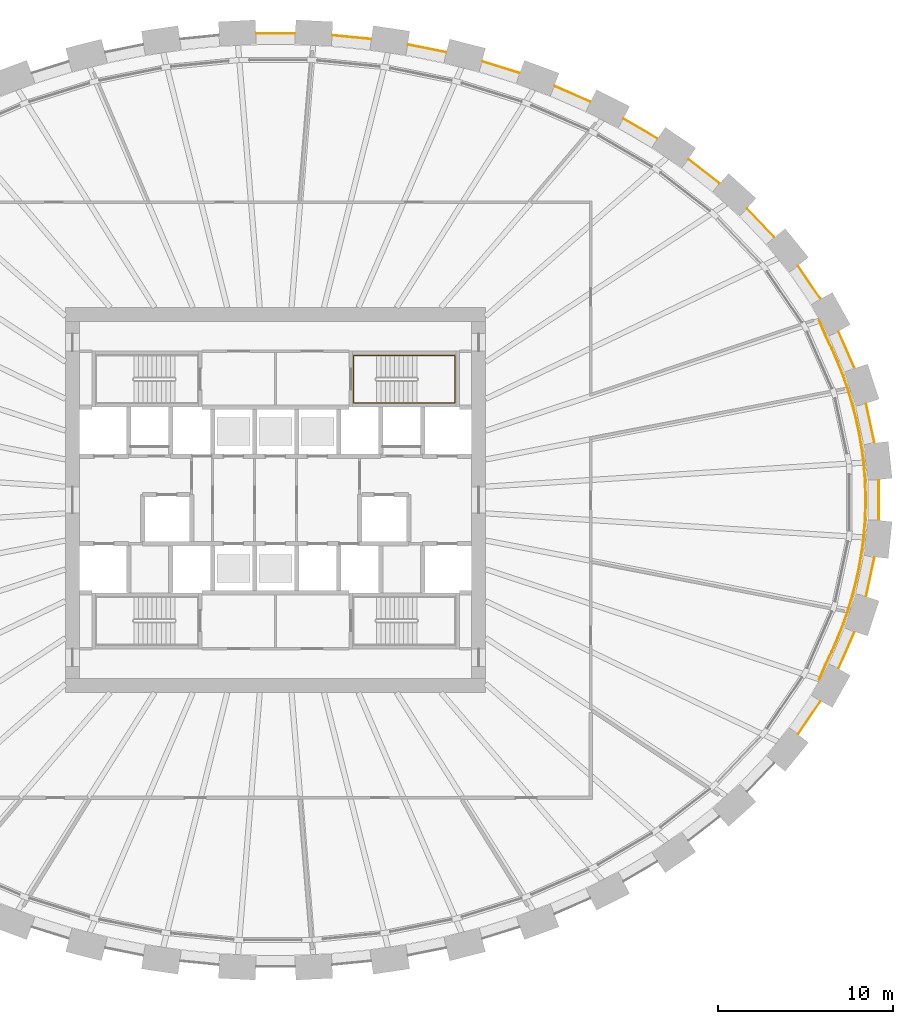
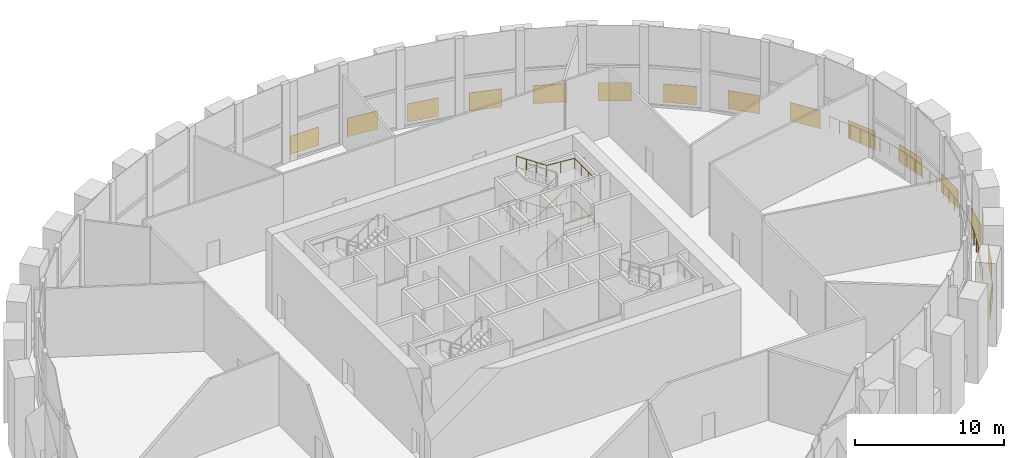
# One storey, part 15 of 16: 15 coverings, 2 railings.
"""IFC4 building model written with IfcOpenShell, lengths in metres."""

from ifc_helpers import new_model, si_unit, direction, frame, origin, origin_2d, place, context, subcontext, project, spatial, rectangle, circle, extrude, source, transform, mapped, material, layer, layer_set, type_object, element, save


model = new_model("IFC4")

# Units and contexts
model_context = context("Model", 3, precision=1e-05, world=origin(), true_north=direction((0.0, 1.0)))
body_context = subcontext(model_context, "Body", "Model", "MODEL_VIEW")
ifc_project = project(units=[si_unit("LENGTHUNIT", "METRE"), si_unit("AREAUNIT", "SQUARE_METRE"), si_unit("VOLUMEUNIT", "CUBIC_METRE"), si_unit("PLANEANGLEUNIT", "RADIAN"), si_unit("MASSUNIT", "GRAM", prefix="KILO")], contexts=[model_context])

# Site, building, storey
site_placement = place(None, origin())
site = spatial("IfcSite", under=ifc_project, at=site_placement, CompositionType="ELEMENT")
building_placement = place(site_placement, origin())
building = spatial("IfcBuilding", under=site, at=building_placement, Name="Embergate Tower", CompositionType="ELEMENT")
storey_placement = place(building_placement, frame((0.0, 0.0, 234.60009765625)))
storey = spatial("IfcBuildingStorey", under=building, at=storey_placement, Name="L54", CompositionType="ELEMENT", Elevation=234.60009765625)

# Coverings
ifc_material_1 = material(Name="Terracotta rainscreen on insulated backing", Category="masonry")
ifc_layer = layer(ifc_material_1, 0.0400390625)
ifc_layer_set = layer_set([ifc_layer], Name="Terracotta rainscreen on insulated backing")
covering_type = type_object("IfcCoveringType", Name="Terracotta rainscreen band", PredefinedType="CLADDING", material=ifc_layer_set)
shared_shape_1 = source(origin(), body_context, "Body", "SweptSolid", [
    extrude(rectangle(XDim=2.256591796875, YDim=0.0400390625, at=origin_2d()), origin(), (0.0, 0.0, 1.0), 1.5),
])
for number, where, z_axis, x_axis, name in (
    (1, (33.97021484375, 4.387451171875, -0.75), (0.0, 0.0, 1.0), (-0.210497353256, 0.977594427292, 0.0), "Rainscreen band 1"),
    (2, (33.97021484375, -4.387451171875, -0.75), (0.0, 0.0, 1.0), (0.210497353256, 0.977594427292, 0.0), "Rainscreen band 43"),
):
    element("IfcCovering", number, at=place(storey_placement, frame(where, z_axis=z_axis, x_axis=x_axis)), inside=storey, type_object=covering_type, Name=name, PredefinedType="CLADDING", context=body_context, shape_type="MappedRepresentation", body=[
        mapped(shared_shape_1, transform((0.0, 0.0, 0.0))),
    ])
shared_shape_2 = source(origin(), body_context, "Body", "SweptSolid", [
    extrude(rectangle(XDim=2.252685546875, YDim=0.0400390625, at=origin_2d()), origin(), (0.0, 0.0, 1.0), 1.5),
])
for number, where, z_axis, x_axis, name in (
    (3, (32.614501953125, 8.5810546875, -0.75), (0.0, 0.0, 1.0), (-0.401727222685, 0.915759378087, 0.0), "Rainscreen band 2"),
    (4, (32.614501953125, -8.5810546875, -0.75), (0.0, 0.0, 1.0), (0.401727222685, 0.915759378087, 0.0), "Rainscreen band 42"),
):
    element("IfcCovering", number, at=place(storey_placement, frame(where, z_axis=z_axis, x_axis=x_axis)), inside=storey, type_object=covering_type, Name=name, PredefinedType="CLADDING", context=body_context, shape_type="MappedRepresentation", body=[
        mapped(shared_shape_2, transform((0.0, 0.0, 0.0))),
    ])
shared_shape_3 = source(origin(), body_context, "Body", "SweptSolid", [
    extrude(rectangle(XDim=2.248046875, YDim=0.0400390625, at=origin_2d()), origin(), (0.0, 0.0, 1.0), 1.5),
])
for number, where, z_axis, x_axis, name in (
    (5, (30.485595703125, 12.431396484375, -0.75), (0.0, 0.0, 1.0), (-0.562273908619, 0.826951057612, 0.0), "Rainscreen band 3"),
    (6, (30.485595703125, -12.431396484375, -0.75), (0.0, 0.0, 1.0), (0.562273908619, 0.826951057612, 0.0), "Rainscreen band 41"),
):
    element("IfcCovering", number, at=place(storey_placement, frame(where, z_axis=z_axis, x_axis=x_axis)), inside=storey, type_object=covering_type, Name=name, PredefinedType="CLADDING", context=body_context, shape_type="MappedRepresentation", body=[
        mapped(shared_shape_3, transform((0.0, 0.0, 0.0))),
    ])
shared_shape_4 = source(origin(), body_context, "Body", "SweptSolid", [
    extrude(rectangle(XDim=2.24072265625, YDim=0.0400390625, at=origin_2d()), origin(), (0.0, 0.0, 1.0), 1.5),
])
covering_1_placement = place(storey_placement, frame((27.7119140625, 15.83349609375, -0.75), z_axis=(0.0, 0.0, 1.0), x_axis=(-0.690401506578, 0.723426402417, 0.0)))
element("IfcCovering", 7, at=covering_1_placement, inside=storey, type_object=covering_type, Name="Rainscreen band 4", PredefinedType="CLADDING", context=body_context, shape_type="MappedRepresentation", body=[
    mapped(shared_shape_4, transform((0.0, 0.0, 0.0))),
])
shared_shape_5 = source(origin(), body_context, "Body", "SweptSolid", [
    extrude(rectangle(XDim=2.23583984375, YDim=0.0400390625, at=origin_2d()), origin(), (0.0, 0.0, 1.0), 1.5),
])
covering_2_placement = place(storey_placement, frame((24.46630859375, 18.772705078125, -0.75), z_axis=(0.0, 0.0, 1.0), x_axis=(-0.788532692603, 0.614992839549, 0.0)))
element("IfcCovering", 8, at=covering_2_placement, inside=storey, type_object=covering_type, Name="Rainscreen band 5", PredefinedType="CLADDING", context=body_context, shape_type="MappedRepresentation", body=[
    mapped(shared_shape_5, transform((0.0, 0.0, 0.0))),
])
shared_shape_6 = source(origin(), body_context, "Body", "SweptSolid", [
    extrude(rectangle(XDim=2.23046875, YDim=0.0400390625, at=origin_2d()), origin(), (0.0, 0.0, 1.0), 1.5),
])
covering_3_placement = place(storey_placement, frame((20.840576171875, 21.212890625, -0.75), z_axis=(0.0, 0.0, 1.0), x_axis=(-0.862164602033, 0.506628265104, 0.0)))
element("IfcCovering", 9, at=covering_3_placement, inside=storey, type_object=covering_type, Name="Rainscreen band 6", PredefinedType="CLADDING", context=body_context, shape_type="MappedRepresentation", body=[
    mapped(shared_shape_6, transform((0.0, 0.0, 0.0))),
])
shared_shape_7 = source(origin(), body_context, "Body", "SweptSolid", [
    extrude(rectangle(XDim=2.227294921875, YDim=0.0400390625, at=origin_2d()), origin(), (0.0, 0.0, 1.0), 1.5),
])
covering_4_placement = place(storey_placement, frame((16.95458984375, 23.1962890625, -0.75), z_axis=(0.0, 0.0, 1.0), x_axis=(-0.916311714041, 0.400465782199, 0.0)))
element("IfcCovering", 10, at=covering_4_placement, inside=storey, type_object=covering_type, Name="Rainscreen band 7", PredefinedType="CLADDING", context=body_context, shape_type="MappedRepresentation", body=[
    mapped(shared_shape_7, transform((0.0, 0.0, 0.0))),
])
shared_shape_8 = source(origin(), body_context, "Body", "SweptSolid", [
    extrude(rectangle(XDim=2.2255859375, YDim=0.0400390625, at=origin_2d()), origin(), (0.0, 0.0, 1.0), 1.5),
])
covering_5_placement = place(storey_placement, frame((12.87158203125, 24.719482421875, -0.75), z_axis=(0.0, 0.0, 1.0), x_axis=(-0.954743670356, 0.297429863859, 0.0)))
element("IfcCovering", 11, at=covering_5_placement, inside=storey, type_object=covering_type, Name="Rainscreen band 8", PredefinedType="CLADDING", context=body_context, shape_type="MappedRepresentation", body=[
    mapped(shared_shape_8, transform((0.0, 0.0, 0.0))),
])
shared_shape_9 = source(origin(), body_context, "Body", "SweptSolid", [
    extrude(rectangle(XDim=2.223388671875, YDim=0.0400390625, at=origin_2d()), origin(), (0.0, 0.0, 1.0), 1.5),
])
covering_6_placement = place(storey_placement, frame((8.65185546875, 25.79736328125, -0.75), z_axis=(0.0, 0.0, 1.0), x_axis=(-0.980494092827, 0.196548553624, 0.0)))
element("IfcCovering", 12, at=covering_6_placement, inside=storey, type_object=covering_type, Name="Rainscreen band 9", PredefinedType="CLADDING", context=body_context, shape_type="MappedRepresentation", body=[
    mapped(shared_shape_9, transform((0.0, 0.0, 0.0))),
])
shared_shape_10 = source(origin(), body_context, "Body", "SweptSolid", [
    extrude(rectangle(XDim=2.2236328125, YDim=0.0400390625, at=origin_2d()), origin(), (0.0, 0.0, 1.0), 1.5),
])
covering_7_placement = place(storey_placement, frame((4.346923828125, 26.4384765625, -0.75), z_axis=(0.0, 0.0, 1.0), x_axis=(-0.995183015799, 0.098034509565, 0.0)))
element("IfcCovering", 13, at=covering_7_placement, inside=storey, type_object=covering_type, Name="Rainscreen band 10", PredefinedType="CLADDING", context=body_context, shape_type="MappedRepresentation", body=[
    mapped(shared_shape_10, transform((0.0, 0.0, 0.0))),
])
shared_shape_11 = source(origin(), body_context, "Body", "SweptSolid", [
    extrude(rectangle(XDim=2.221923828125, YDim=0.0400390625, at=origin_2d()), origin(), (0.0, 0.0, 1.0), 1.5),
])
covering_8_placement = place(storey_placement, frame((0.0, 26.652099609375, -0.75), z_axis=(0.0, 0.0, 1.0), x_axis=(-1.0, 0.0, 0.0)))
element("IfcCovering", 14, at=covering_8_placement, inside=storey, type_object=covering_type, Name="Rainscreen band 11", PredefinedType="CLADDING", context=body_context, shape_type="MappedRepresentation", body=[
    mapped(shared_shape_11, transform((0.0, 0.0, 0.0))),
])
shared_shape_12 = source(origin(), body_context, "Body", "SweptSolid", [
    extrude(rectangle(XDim=2.261962890625, YDim=0.0400390625, at=origin_2d()), origin(), (0.0, 0.0, 1.0), 1.5),
])
covering_9_placement = place(storey_placement, frame((34.45703125, 0.0, -0.75), z_axis=(0.0, 0.0, 1.0), x_axis=(0.0, 1.0, 0.0)))
element("IfcCovering", 15, at=covering_9_placement, inside=storey, type_object=covering_type, Name="Rainscreen band 44", PredefinedType="CLADDING", context=body_context, shape_type="MappedRepresentation", body=[
    mapped(shared_shape_12, transform((0.0, 0.0, 0.0))),
])

# Railings
ifc_material_2 = material(Name="Stair handrail 900")
railing_type_1 = type_object("IfcRailingType", Name="Stair handrail 900", PredefinedType="HANDRAIL", material=ifc_material_2)
shared_shape_13 = source(origin(), body_context, "Body", "SweptSolid", [
    extrude(circle(Radius=0.02392578125, at=origin_2d()), frame((0.0, 0.0, 0.8759765625), z_axis=(0.829565388462, 0.0, 0.558409586474), x_axis=(0.0, 1.0, 0.0)), (0.0, 0.0, 1.0), 2.82080078125),
    extrude(circle(Radius=0.02392578125, at=origin_2d()), frame((2.340087890625, 0.0, 2.451171875), z_axis=(1.0, 0.0, 0.0), x_axis=(0.0, 1.0, 0.0)), (0.0, 0.0, 1.0), 2.159912109375),
    extrude(circle(Radius=0.02392578125, at=origin_2d()), frame((4.5, 0.0, 2.451171875), z_axis=(0.0, 1.0, 0.0), x_axis=(-1.0, 0.0, 0.0)), (0.0, 0.0, 1.0), 2.699951171875),
    extrude(circle(Radius=0.02392578125, at=origin_2d()), frame((4.5, 2.699951171875, 2.451171875), z_axis=(-0.996741055708, 0.0, 0.080667638283), x_axis=(0.0, -1.0, 0.0)), (0.0, 0.0, 1.0), 2.1669921875),
    extrude(circle(Radius=0.02392578125, at=origin_2d()), frame((2.340087890625, 2.699951171875, 2.6259765625), z_axis=(-0.829565388462, 0.0, 0.558409586474), x_axis=(0.0, -1.0, 0.0)), (0.0, 0.0, 1.0), 2.82080078125),
    extrude(circle(Radius=0.02392578125, at=origin_2d()), frame((0.0, 2.699951171875, 4.201171875), z_axis=(-1.0, 0.0, 0.0), x_axis=(0.0, -1.0, 0.0)), (0.0, 0.0, 1.0), 1.300048828125),
    extrude(circle(Radius=0.02392578125, at=origin_2d()), frame((-1.300048828125, 2.699951171875, 4.201171875), z_axis=(0.0, -1.0, 0.0), x_axis=(1.0, 0.0, 0.0)), (0.0, 0.0, 1.0), 2.699951171875),
    extrude(circle(Radius=0.02392578125, at=origin_2d()), frame((-1.300048828125, 0.0, 4.201171875), z_axis=(0.99108099941, 0.0, 0.13326084424), x_axis=(0.0, 1.0, 0.0)), (0.0, 0.0, 1.0), 1.311767578125),
    extrude(circle(Radius=0.02392578125, at=origin_2d()), frame((0.0, 0.0, 4.3759765625), z_axis=(0.829565388462, 0.0, 0.558409586474), x_axis=(0.0, 1.0, 0.0)), (0.0, 0.0, 1.0), 2.82080078125),
    extrude(circle(Radius=0.02392578125, at=origin_2d()), frame((2.340087890625, 0.0, 5.951171875), z_axis=(1.0, 0.0, 0.0), x_axis=(0.0, 1.0, 0.0)), (0.0, 0.0, 1.0), 2.159912109375),
    extrude(circle(Radius=0.02392578125, at=origin_2d()), frame((4.5, 0.0, 5.951171875), z_axis=(0.0, 1.0, 0.0), x_axis=(-1.0, 0.0, 0.0)), (0.0, 0.0, 1.0), 2.699951171875),
    extrude(circle(Radius=0.02392578125, at=origin_2d()), frame((4.5, 2.699951171875, 5.951171875), z_axis=(-0.996741055708, 0.0, 0.080667638283), x_axis=(0.0, -1.0, 0.0)), (0.0, 0.0, 1.0), 2.1669921875),
    extrude(circle(Radius=0.02392578125, at=origin_2d()), frame((2.340087890625, 2.699951171875, 6.1259765625), z_axis=(-0.829565388462, 0.0, 0.558409586474), x_axis=(0.0, -1.0, 0.0)), (0.0, 0.0, 1.0), 2.82080078125),
    extrude(circle(Radius=0.02099609375, at=origin_2d()), origin(), (0.0, 0.0, 1.0), 0.851806640625),
    extrude(circle(Radius=0.02099609375, at=origin_2d()), frame((0.780029296875, 0.0, 0.525146484375)), (0.0, 0.0, 1.0), 0.851806640625),
    extrude(circle(Radius=0.02099609375, at=origin_2d()), frame((1.56005859375, 0.0, 1.050048828125)), (0.0, 0.0, 1.0), 0.851806640625),
    extrude(circle(Radius=0.02099609375, at=origin_2d()), frame((2.340087890625, 0.0, 1.5751953125)), (0.0, 0.0, 1.0), 0.851806640625),
    extrude(circle(Radius=0.02099609375, at=origin_2d()), frame((3.419921875, 0.0, 1.5751953125)), (0.0, 0.0, 1.0), 0.851806640625),
    extrude(circle(Radius=0.02099609375, at=origin_2d()), frame((4.5, 0.0, 1.5751953125)), (0.0, 0.0, 1.0), 0.851806640625),
    extrude(circle(Radius=0.02099609375, at=origin_2d()), frame((4.5, 0.89990234375, 1.5751953125)), (0.0, 0.0, 1.0), 0.851806640625),
    extrude(circle(Radius=0.02099609375, at=origin_2d()), frame((4.5, 1.800048828125, 1.5751953125)), (0.0, 0.0, 1.0), 0.851806640625),
    extrude(circle(Radius=0.02099609375, at=origin_2d()), frame((4.5, 2.699951171875, 1.5751953125)), (0.0, 0.0, 1.0), 0.851806640625),
    extrude(circle(Radius=0.02099609375, at=origin_2d()), frame((3.419921875, 2.699951171875, 1.66259765625)), (0.0, 0.0, 1.0), 0.851806640625),
    extrude(circle(Radius=0.02099609375, at=origin_2d()), frame((2.340087890625, 2.699951171875, 1.75)), (0.0, 0.0, 1.0), 0.851806640625),
    extrude(circle(Radius=0.02099609375, at=origin_2d()), frame((1.56005859375, 2.699951171875, 2.275146484375)), (0.0, 0.0, 1.0), 0.851806640625),
    extrude(circle(Radius=0.02099609375, at=origin_2d()), frame((0.780029296875, 2.699951171875, 2.800048828125)), (0.0, 0.0, 1.0), 0.851806640625),
    extrude(circle(Radius=0.02099609375, at=origin_2d()), frame((0.0, 2.699951171875, 3.3251953125)), (0.0, 0.0, 1.0), 0.851806640625),
    extrude(circle(Radius=0.02099609375, at=origin_2d()), frame((-0.64990234375, 2.699951171875, 3.3251953125)), (0.0, 0.0, 1.0), 0.851806640625),
    extrude(circle(Radius=0.02099609375, at=origin_2d()), frame((-1.300048828125, 2.699951171875, 3.3251953125)), (0.0, 0.0, 1.0), 0.851806640625),
    extrude(circle(Radius=0.02099609375, at=origin_2d()), frame((-1.300048828125, 1.800048828125, 3.3251953125)), (0.0, 0.0, 1.0), 0.851806640625),
    extrude(circle(Radius=0.02099609375, at=origin_2d()), frame((-1.300048828125, 0.89990234375, 3.3251953125)), (0.0, 0.0, 1.0), 0.851806640625),
    extrude(circle(Radius=0.02099609375, at=origin_2d()), frame((-1.300048828125, 0.0, 3.3251953125)), (0.0, 0.0, 1.0), 0.851806640625),
    extrude(circle(Radius=0.02099609375, at=origin_2d()), frame((-0.64990234375, 0.0, 3.41259765625)), (0.0, 0.0, 1.0), 0.851806640625),
    extrude(circle(Radius=0.02099609375, at=origin_2d()), frame((0.0, 0.0, 3.5)), (0.0, 0.0, 1.0), 0.851806640625),
    extrude(circle(Radius=0.02099609375, at=origin_2d()), frame((0.780029296875, 0.0, 4.025146484375)), (0.0, 0.0, 1.0), 0.851806640625),
    extrude(circle(Radius=0.02099609375, at=origin_2d()), frame((1.56005859375, 0.0, 4.550048828125)), (0.0, 0.0, 1.0), 0.851806640625),
    extrude(circle(Radius=0.02099609375, at=origin_2d()), frame((2.340087890625, 0.0, 5.0751953125)), (0.0, 0.0, 1.0), 0.851806640625),
    extrude(circle(Radius=0.02099609375, at=origin_2d()), frame((3.419921875, 0.0, 5.0751953125)), (0.0, 0.0, 1.0), 0.851806640625),
    extrude(circle(Radius=0.02099609375, at=origin_2d()), frame((4.5, 0.0, 5.0751953125)), (0.0, 0.0, 1.0), 0.851806640625),
    extrude(circle(Radius=0.02099609375, at=origin_2d()), frame((4.5, 0.89990234375, 5.0751953125)), (0.0, 0.0, 1.0), 0.851806640625),
    extrude(circle(Radius=0.02099609375, at=origin_2d()), frame((4.5, 1.800048828125, 5.0751953125)), (0.0, 0.0, 1.0), 0.851806640625),
    extrude(circle(Radius=0.02099609375, at=origin_2d()), frame((4.5, 2.699951171875, 5.0751953125)), (0.0, 0.0, 1.0), 0.851806640625),
    extrude(circle(Radius=0.02099609375, at=origin_2d()), frame((3.419921875, 2.699951171875, 5.16259765625)), (0.0, 0.0, 1.0), 0.851806640625),
    extrude(circle(Radius=0.02099609375, at=origin_2d()), frame((2.340087890625, 2.699951171875, 5.25)), (0.0, 0.0, 1.0), 0.851806640625),
    extrude(circle(Radius=0.02099609375, at=origin_2d()), frame((1.56005859375, 2.699951171875, 5.775146484375)), (0.0, 0.0, 1.0), 0.851806640625),
    extrude(circle(Radius=0.02099609375, at=origin_2d()), frame((0.780029296875, 2.699951171875, 6.300048828125)), (0.0, 0.0, 1.0), 0.851806640625),
    extrude(circle(Radius=0.02099609375, at=origin_2d()), frame((0.0, 2.699951171875, 6.8251953125)), (0.0, 0.0, 1.0), 0.851806640625),
])
railing_1_placement = place(storey_placement, frame((5.75, 5.550048828125, 0.1748046875)))
element("IfcRailing", 16, at=railing_1_placement, inside=storey, type_object=railing_type_1, Name="L54 ST2 stair handrail 1", PredefinedType="HANDRAIL", context=body_context, shape_type="MappedRepresentation", body=[
    mapped(shared_shape_13, transform((0.0, 0.0, 0.0))),
])
ifc_material_3 = material(Name="Stainless steel", Category="steel")
railing_type_2 = type_object("IfcRailingType", Name="Edge guard 1100", PredefinedType="GUARDRAIL", material=ifc_material_3)
shared_shape_14 = source(origin(), body_context, "Body", "SweptSolid", [
    extrude(circle(Radius=0.02490234375, at=origin_2d()), frame((0.0, 0.0, 1.0751953125), z_axis=(0.376650082934, 0.926355609378, 0.0), x_axis=(-0.926355609378, 0.376650082934, 0.0)), (0.0, 0.0, 1.0), 0.86328125),
    extrude(circle(Radius=0.02490234375, at=origin_2d()), frame((0.3251953125, 0.7998046875, 1.0751953125), z_axis=(0.437304357264, 0.899313571074, 0.0), x_axis=(-0.899313571074, 0.437304357264, 0.0)), (0.0, 0.0, 1.0), 0.85986328125),
    extrude(circle(Radius=0.02490234375, at=origin_2d()), frame((0.701171875, 1.572998046875, 1.0751953125), z_axis=(0.401703561957, 0.915769757259, 0.0), x_axis=(-0.915769757259, 0.401703561957, 0.0)), (0.0, 0.0, 1.0), 0.85400390625),
    extrude(circle(Radius=0.02490234375, at=origin_2d()), frame((1.044189453125, 2.35498046875, 1.0751953125), z_axis=(0.366328396599, 0.930485629038, 0.0), x_axis=(-0.930485629038, 0.366328396599, 0.0)), (0.0, 0.0, 1.0), 0.84912109375),
    extrude(circle(Radius=0.02490234375, at=origin_2d()), frame((1.355224609375, 3.14501953125, 1.0751953125), z_axis=(0.329216206632, 0.944254568054, 0.0), x_axis=(-0.944254568054, 0.329216206632, 0.0)), (0.0, 0.0, 1.0), 0.843994140625),
    extrude(circle(Radius=0.02490234375, at=origin_2d()), frame((1.633056640625, 3.94189453125, 1.0751953125), z_axis=(0.290337888391, 0.956924192695, 0.0), x_axis=(-0.956924192695, 0.290337888391, 0.0)), (0.0, 0.0, 1.0), 0.861083984375),
    extrude(circle(Radius=0.02490234375, at=origin_2d()), frame((1.883056640625, 4.765869140625, 1.0751953125), z_axis=(0.25083370557, 0.968030191756, 0.0), x_axis=(-0.968030191756, 0.25083370557, 0.0)), (0.0, 0.0, 1.0), 0.857421875),
    extrude(circle(Radius=0.02490234375, at=origin_2d()), frame((2.09814453125, 5.595947265625, 1.0751953125), z_axis=(0.210896848145, 0.97750832193, 0.0), x_axis=(-0.97750832193, 0.210896848145, 0.0)), (0.0, 0.0, 1.0), 0.853271484375),
    extrude(circle(Radius=0.02490234375, at=origin_2d()), frame((2.278076171875, 6.429931640625, 1.0751953125), z_axis=(0.169234496585, 0.985575814012, 0.0), x_axis=(-0.985575814012, 0.169234496585, 0.0)), (0.0, 0.0, 1.0), 0.85107421875),
    extrude(circle(Radius=0.02490234375, at=origin_2d()), frame((2.422119140625, 7.268798828125, 1.0751953125), z_axis=(0.128245044935, 0.991742511164, 0.0), x_axis=(-0.991742511164, 0.128245044935, 0.0)), (0.0, 0.0, 1.0), 0.84912109375),
    extrude(circle(Radius=0.02490234375, at=origin_2d()), frame((2.531005859375, 8.11083984375, 1.0751953125), z_axis=(0.08536065485, 0.996350118484, 0.0), x_axis=(-0.996350118484, 0.08536065485, 0.0)), (0.0, 0.0, 1.0), 0.855224609375),
    extrude(circle(Radius=0.02490234375, at=origin_2d()), frame((2.60400390625, 8.962890625, 1.0751953125), z_axis=(0.042320379373, 0.999104091419, 0.0), x_axis=(-0.999104091419, 0.042320379373, 0.0)), (0.0, 0.0, 1.0), 0.853759765625),
    extrude(circle(Radius=0.02490234375, at=origin_2d()), frame((2.64013671875, 9.81591796875, 1.0751953125), z_axis=(0.0, 1.0, 0.0), x_axis=(-1.0, 0.0, 0.0)), (0.0, 0.0, 1.0), 0.85400390625),
    extrude(circle(Radius=0.02490234375, at=origin_2d()), frame((2.64013671875, 10.669921875, 1.0751953125), z_axis=(-0.042320379373, 0.999104091419, 0.0), x_axis=(-0.999104091419, -0.042320379373, 0.0)), (0.0, 0.0, 1.0), 0.853759765625),
    extrude(circle(Radius=0.02490234375, at=origin_2d()), frame((2.60400390625, 11.52294921875, 1.0751953125), z_axis=(-0.08536065485, 0.996350118484, 0.0), x_axis=(-0.996350118484, -0.08536065485, 0.0)), (0.0, 0.0, 1.0), 0.855224609375),
    extrude(circle(Radius=0.02490234375, at=origin_2d()), frame((2.531005859375, 12.375, 1.0751953125), z_axis=(-0.128245044935, 0.991742511164, 0.0), x_axis=(-0.991742511164, -0.128245044935, 0.0)), (0.0, 0.0, 1.0), 0.84912109375),
    extrude(circle(Radius=0.02490234375, at=origin_2d()), frame((2.422119140625, 13.217041015625, 1.0751953125), z_axis=(-0.169234496585, 0.985575814012, 0.0), x_axis=(-0.985575814012, -0.169234496585, 0.0)), (0.0, 0.0, 1.0), 0.85107421875),
    extrude(circle(Radius=0.02490234375, at=origin_2d()), frame((2.278076171875, 14.055908203125, 1.0751953125), z_axis=(-0.210896848145, 0.97750832193, 0.0), x_axis=(-0.97750832193, -0.210896848145, 0.0)), (0.0, 0.0, 1.0), 0.853271484375),
    extrude(circle(Radius=0.02490234375, at=origin_2d()), frame((2.09814453125, 14.889892578125, 1.0751953125), z_axis=(-0.25083370557, 0.968030191756, 0.0), x_axis=(-0.968030191756, -0.25083370557, 0.0)), (0.0, 0.0, 1.0), 0.857421875),
    extrude(circle(Radius=0.02490234375, at=origin_2d()), frame((1.883056640625, 15.719970703125, 1.0751953125), z_axis=(-0.290337888391, 0.956924192695, 0.0), x_axis=(-0.956924192695, -0.290337888391, 0.0)), (0.0, 0.0, 1.0), 0.861083984375),
    extrude(circle(Radius=0.02490234375, at=origin_2d()), frame((1.633056640625, 16.5439453125, 1.0751953125), z_axis=(-0.329216206632, 0.944254568054, 0.0), x_axis=(-0.944254568054, -0.329216206632, 0.0)), (0.0, 0.0, 1.0), 0.843994140625),
    extrude(circle(Radius=0.02490234375, at=origin_2d()), frame((1.355224609375, 17.3408203125, 1.0751953125), z_axis=(-0.366328396599, 0.930485629038, 0.0), x_axis=(-0.930485629038, -0.366328396599, 0.0)), (0.0, 0.0, 1.0), 0.84912109375),
    extrude(circle(Radius=0.02490234375, at=origin_2d()), frame((1.044189453125, 18.130859375, 1.0751953125), z_axis=(-0.401703561957, 0.915769757259, 0.0), x_axis=(-0.915769757259, -0.401703561957, 0.0)), (0.0, 0.0, 1.0), 0.85400390625),
    extrude(circle(Radius=0.02490234375, at=origin_2d()), frame((0.701171875, 18.912841796875, 1.0751953125), z_axis=(-0.437304357264, 0.899313571074, 0.0), x_axis=(-0.899313571074, -0.437304357264, 0.0)), (0.0, 0.0, 1.0), 0.85986328125),
    extrude(circle(Radius=0.02490234375, at=origin_2d()), frame((0.3251953125, 19.68603515625, 1.0751953125), z_axis=(-0.376650082934, 0.926355609378, 0.0), x_axis=(-0.926355609378, -0.376650082934, 0.0)), (0.0, 0.0, 1.0), 0.86328125),
    extrude(circle(Radius=0.02490234375, at=origin_2d()), origin(), (0.0, 0.0, 1.0), 1.050048828125),
    extrude(circle(Radius=0.02490234375, at=origin_2d()), frame((0.3251953125, 0.7998046875, 0.0)), (0.0, 0.0, 1.0), 1.050048828125),
    extrude(circle(Radius=0.02490234375, at=origin_2d()), frame((0.701171875, 1.572998046875, 0.0)), (0.0, 0.0, 1.0), 1.050048828125),
    extrude(circle(Radius=0.02490234375, at=origin_2d()), frame((1.044189453125, 2.35498046875, 0.0)), (0.0, 0.0, 1.0), 1.050048828125),
    extrude(circle(Radius=0.02490234375, at=origin_2d()), frame((1.355224609375, 3.14501953125, 0.0)), (0.0, 0.0, 1.0), 1.050048828125),
    extrude(circle(Radius=0.02490234375, at=origin_2d()), frame((1.633056640625, 3.94189453125, 0.0)), (0.0, 0.0, 1.0), 1.050048828125),
    extrude(circle(Radius=0.02490234375, at=origin_2d()), frame((1.883056640625, 4.765869140625, 0.0)), (0.0, 0.0, 1.0), 1.050048828125),
    extrude(circle(Radius=0.02490234375, at=origin_2d()), frame((2.09814453125, 5.595947265625, 0.0)), (0.0, 0.0, 1.0), 1.050048828125),
    extrude(circle(Radius=0.02490234375, at=origin_2d()), frame((2.278076171875, 6.429931640625, 0.0)), (0.0, 0.0, 1.0), 1.050048828125),
    extrude(circle(Radius=0.02490234375, at=origin_2d()), frame((2.422119140625, 7.268798828125, 0.0)), (0.0, 0.0, 1.0), 1.050048828125),
    extrude(circle(Radius=0.02490234375, at=origin_2d()), frame((2.531005859375, 8.11083984375, 0.0)), (0.0, 0.0, 1.0), 1.050048828125),
    extrude(circle(Radius=0.02490234375, at=origin_2d()), frame((2.60400390625, 8.962890625, 0.0)), (0.0, 0.0, 1.0), 1.050048828125),
    extrude(circle(Radius=0.02490234375, at=origin_2d()), frame((2.64013671875, 9.81591796875, 0.0)), (0.0, 0.0, 1.0), 1.050048828125),
    extrude(circle(Radius=0.02490234375, at=origin_2d()), frame((2.64013671875, 10.669921875, 0.0)), (0.0, 0.0, 1.0), 1.050048828125),
    extrude(circle(Radius=0.02490234375, at=origin_2d()), frame((2.60400390625, 11.52294921875, 0.0)), (0.0, 0.0, 1.0), 1.050048828125),
    extrude(circle(Radius=0.02490234375, at=origin_2d()), frame((2.531005859375, 12.375, 0.0)), (0.0, 0.0, 1.0), 1.050048828125),
    extrude(circle(Radius=0.02490234375, at=origin_2d()), frame((2.422119140625, 13.217041015625, 0.0)), (0.0, 0.0, 1.0), 1.050048828125),
    extrude(circle(Radius=0.02490234375, at=origin_2d()), frame((2.278076171875, 14.055908203125, 0.0)), (0.0, 0.0, 1.0), 1.050048828125),
    extrude(circle(Radius=0.02490234375, at=origin_2d()), frame((2.09814453125, 14.889892578125, 0.0)), (0.0, 0.0, 1.0), 1.050048828125),
    extrude(circle(Radius=0.02490234375, at=origin_2d()), frame((1.883056640625, 15.719970703125, 0.0)), (0.0, 0.0, 1.0), 1.050048828125),
    extrude(circle(Radius=0.02490234375, at=origin_2d()), frame((1.633056640625, 16.5439453125, 0.0)), (0.0, 0.0, 1.0), 1.050048828125),
    extrude(circle(Radius=0.02490234375, at=origin_2d()), frame((1.355224609375, 17.3408203125, 0.0)), (0.0, 0.0, 1.0), 1.050048828125),
    extrude(circle(Radius=0.02490234375, at=origin_2d()), frame((1.044189453125, 18.130859375, 0.0)), (0.0, 0.0, 1.0), 1.050048828125),
    extrude(circle(Radius=0.02490234375, at=origin_2d()), frame((0.701171875, 18.912841796875, 0.0)), (0.0, 0.0, 1.0), 1.050048828125),
    extrude(circle(Radius=0.02490234375, at=origin_2d()), frame((0.3251953125, 19.68603515625, 0.0)), (0.0, 0.0, 1.0), 1.050048828125),
    extrude(circle(Radius=0.02490234375, at=origin_2d()), frame((0.0, 20.48583984375, 0.0)), (0.0, 0.0, 1.0), 1.050048828125),
])
railing_2_placement = place(storey_placement, frame((31.06689453125, -10.242919921875, 0.0)))
element("IfcRailing", 17, at=railing_2_placement, inside=storey, type_object=railing_type_2, Name="Slab edge guard", PredefinedType="GUARDRAIL", context=body_context, shape_type="MappedRepresentation", body=[
    mapped(shared_shape_14, transform((0.0, 0.0, 0.0))),
])

save(model, "model.ifc")
